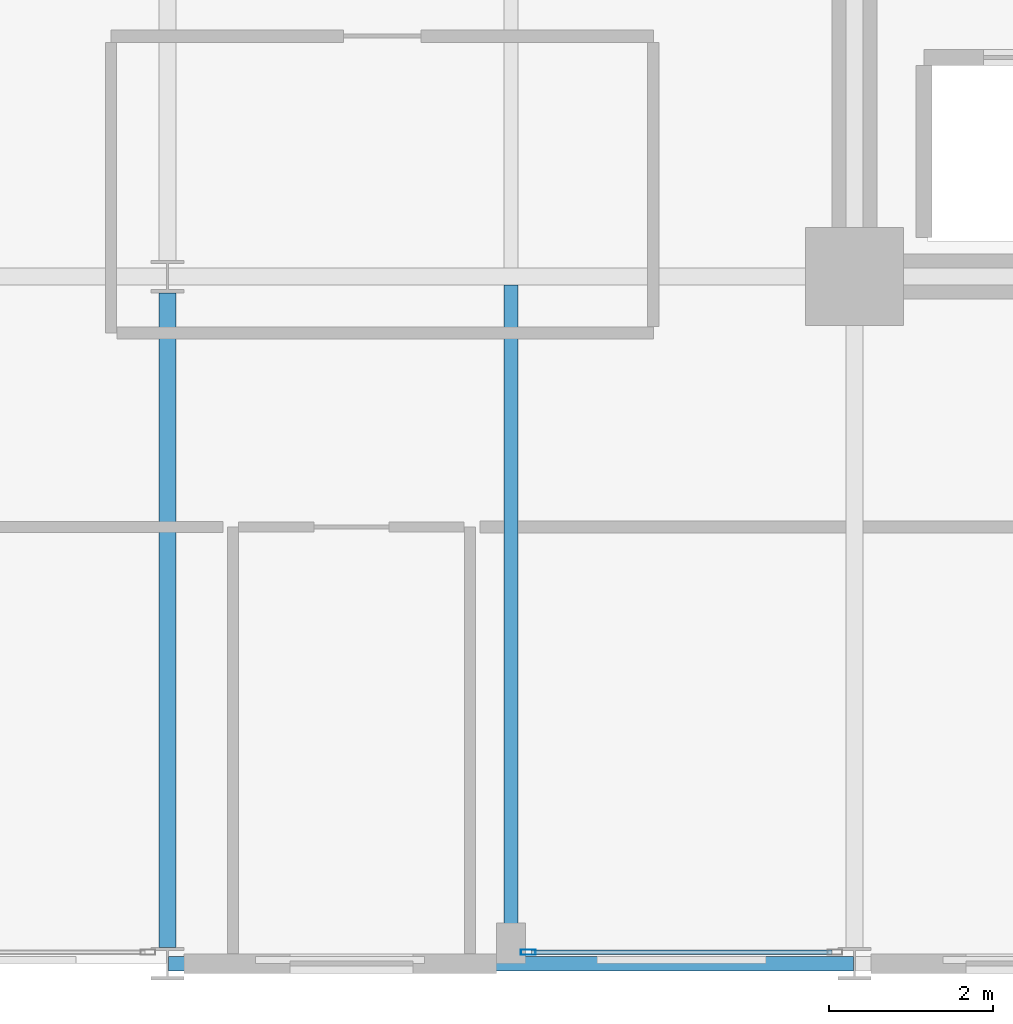
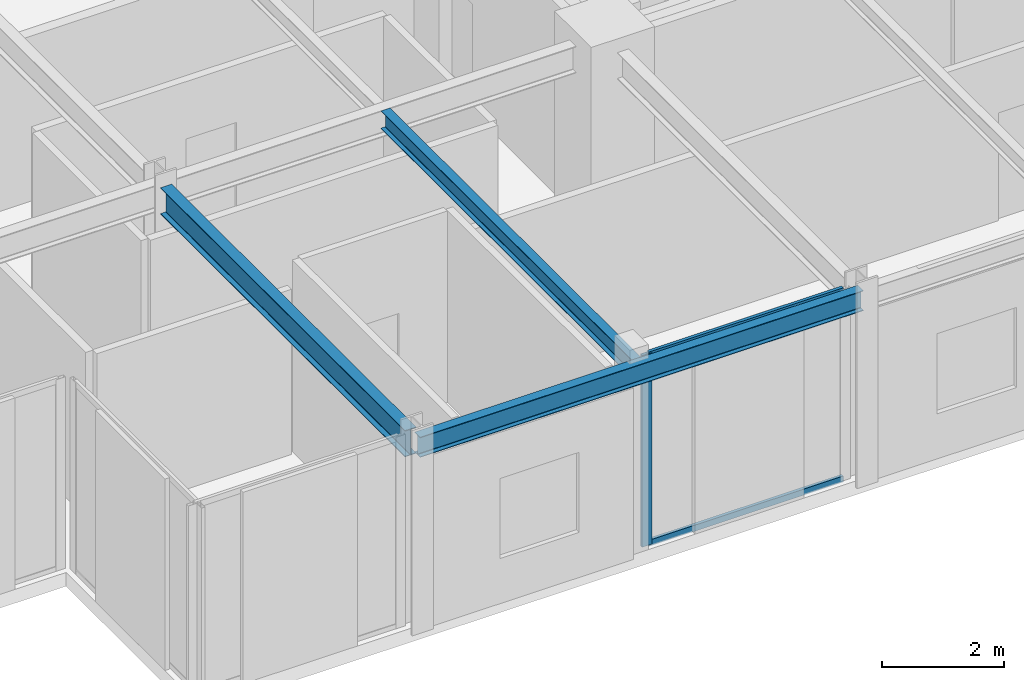
# One storey, part 5 of 38: 3 beams, 3 members, 1 element without a shape of its own.
"""IFC4 building model written with IfcOpenShell, lengths in metres."""

import ifcopenshell
import ifcopenshell.guid

model = None  # the IFC model being written
_history = None  # IfcOwnerHistory: only IFC2X3 demands one
_inside = {}  # id of a spatial element -> (the spatial element, [elements in it])
_under = {}  # id of a project, library or spatial element -> (it, [spatial elements below it])
_declared = {}  # id of a project -> (the project, [libraries it declares])
_typed = {}  # id of a type object -> (the type object, [elements of that type])
_made_of = {}  # id of a material, layer set ... -> (it, [elements and type objects made of it])


def new_model(schema):
    """Start an empty IFC model of exactly this schema.

    Asked for "IFC4X3", IfcOpenShell would pick the latest addendum, in which some entities
    have other attributes; the version numbers below select the first issue.
    IFC2X3 requires an IfcOwnerHistory on every rooted entity: one is made here for all.
    """
    global model, _history
    if schema == "IFC4X3":
        model = ifcopenshell.file(schema_version=(4, 3, 0, 0))
    else:
        model = ifcopenshell.file(schema=schema)
    _inside.clear()
    _under.clear()
    _declared.clear()
    _typed.clear()
    _made_of.clear()
    _history = None
    if model.schema == "IFC2X3":
        org = make("IfcOrganization", Name="unknown")
        user = make(
            "IfcPersonAndOrganization",
            ThePerson=make("IfcPerson", FamilyName="unknown"),
            TheOrganization=org,
        )
        app = make(
            "IfcApplication",
            ApplicationDeveloper=org,
            Version="unknown",
            ApplicationFullName="unknown",
            ApplicationIdentifier="unknown",
        )
        _history = make(
            "IfcOwnerHistory",
            OwningUser=user,
            OwningApplication=app,
            ChangeAction="ADDED",
            CreationDate=0,
        )
    return model


def make(cls, **values):
    """One entity of the class cls with the attributes given. An attribute that is None is left unset."""
    return model.create_entity(
        cls, **{name: value for name, value in values.items() if value is not None}
    )


def rooted(cls, **values):
    """An entity with a GlobalId (a new one), such as an element, a storey or a relation."""
    return make(cls, GlobalId=ifcopenshell.guid.new(), OwnerHistory=_history, **values)


def si_unit(unit_type, name, prefix=None):
    """IfcSIUnit, for example si_unit("LENGTHUNIT", "METRE", prefix="MILLI")."""
    return make("IfcSIUnit", UnitType=unit_type, Prefix=prefix, Name=name)


def assignment(units):
    """IfcUnitAssignment: the units of a project."""
    return None if units is None else make("IfcUnitAssignment", Units=units)


def point(xyz):
    """IfcCartesianPoint."""
    return None if xyz is None else make("IfcCartesianPoint", Coordinates=xyz)


def direction(xyz):
    """IfcDirection."""
    return None if xyz is None else make("IfcDirection", DirectionRatios=xyz)


def frame(location, z_axis=None, x_axis=None):
    """IfcAxis2Placement3D, a coordinate frame: its origin and axes. An axis left out is left unset."""
    return make(
        "IfcAxis2Placement3D",
        Location=point(location),
        Axis=direction(z_axis),
        RefDirection=direction(x_axis),
    )


def frame_2d(location, x_axis=None):
    """IfcAxis2Placement2D, a coordinate frame in the plane: its origin and x axis."""
    return make(
        "IfcAxis2Placement2D", Location=point(location), RefDirection=direction(x_axis)
    )


def origin():
    """The frame at (0, 0, 0) with its axes left unset."""
    return frame((0.0, 0.0, 0.0))


def origin_2d():
    """The frame at (0, 0) in the plane with its x axis left unset."""
    return frame_2d((0.0, 0.0))


def place(relative_to, where):
    """IfcLocalPlacement: puts the frame where relative to a parent placement (None: the world)."""
    return make(
        "IfcLocalPlacement", PlacementRelTo=relative_to, RelativePlacement=where
    )


def context(
    kind, dimensions, precision=None, world=None, true_north=None, identifier=None
):
    """IfcGeometricRepresentationContext, for example the 3D "Model" context."""
    return make(
        "IfcGeometricRepresentationContext",
        ContextIdentifier=identifier,
        ContextType=kind,
        CoordinateSpaceDimension=dimensions,
        Precision=precision,
        WorldCoordinateSystem=world,
        TrueNorth=true_north,
    )


def subcontext(parent, identifier, kind, view, scale=None):
    """IfcGeometricRepresentationSubContext, for example "Body" below "Model"."""
    return make(
        "IfcGeometricRepresentationSubContext",
        ContextIdentifier=identifier,
        ContextType=kind,
        ParentContext=parent,
        TargetScale=scale,
        TargetView=view,
    )


def project(units=None, contexts=None):
    """IfcProject with its units and contexts."""
    return rooted(
        "IfcProject",
        Name="project",
        RepresentationContexts=contexts,
        UnitsInContext=assignment(units),
    )


def spatial(cls, under=None, at=None, **own):
    """A site, building, storey or space (cls), placed at a placement, below another one or the project."""
    s = rooted(cls, ObjectPlacement=at, **own)
    if under is not None:
        _under.setdefault(under.id(), (under, []))[1].append(s)
    return s


def profile(cls, at=None, kind="AREA", **sizes):
    """A parametric profile (cls). Its sizes go by their IFC names, for example OverallWidth=200.0."""
    return make(cls, ProfileType=kind, Position=at, **sizes)


def hollow_rectangle(**sizes):
    """IfcRectangleHollowProfileDef."""
    return profile("IfcRectangleHollowProfileDef", **sizes)


def i_section(**sizes):
    """IfcIShapeProfileDef."""
    return profile("IfcIShapeProfileDef", **sizes)


def extrude(swept, where, along, depth):
    """IfcExtrudedAreaSolid: the profile swept, set in the frame where, extruded along a direction by depth."""
    return make(
        "IfcExtrudedAreaSolid",
        SweptArea=swept,
        Position=where,
        ExtrudedDirection=direction(along),
        Depth=depth,
    )


def shape(context_of_items, identifier, shape_type, items):
    """IfcShapeRepresentation: the items that make up one representation, for example the "Body"."""
    return make(
        "IfcShapeRepresentation",
        ContextOfItems=context_of_items,
        RepresentationIdentifier=identifier,
        RepresentationType=shape_type,
        Items=items,
    )


def material(Name=None, Category=None):
    """IfcMaterial."""
    return make("IfcMaterial", Name=Name, Category=Category)


def layer(
    of_material, thickness, ventilated=None, Name=None, Category=None, Priority=None
):
    """IfcMaterialLayer: one layer of a wall or slab, of a material (None: an air gap)."""
    return make(
        "IfcMaterialLayer",
        Material=of_material,
        LayerThickness=thickness,
        IsVentilated=ventilated,
        Name=Name,
        Category=Category,
        Priority=Priority,
    )


def layer_set(layers, Name=None):
    """IfcMaterialLayerSet."""
    return make("IfcMaterialLayerSet", MaterialLayers=layers, LayerSetName=Name)


def material_profile(
    of_material, cross_section, Name=None, Category=None, Priority=None
):
    """IfcMaterialProfile: a cross section and its material."""
    return make(
        "IfcMaterialProfile",
        Name=Name,
        Material=of_material,
        Profile=cross_section,
        Priority=Priority,
        Category=Category,
    )


def profile_set(profiles, Name=None, composite=None):
    """IfcMaterialProfileSet."""
    return make(
        "IfcMaterialProfileSet",
        Name=Name,
        MaterialProfiles=profiles,
        CompositeProfile=composite,
    )


def made_of(thing, what):
    """Note that an element or type object is made of a material, layer set ...; save() writes the relation."""
    if what is not None:
        _made_of.setdefault(what.id(), (what, []))[1].append(thing)
    return thing


def type_object(cls, material=None, **own):
    """A type object (cls), such as IfcWallType, which elements share."""
    return made_of(rooted(cls, **own), material)


def element(
    cls,
    number,
    at=None,
    inside=None,
    cuts=None,
    type_object=None,
    material=None,
    context=None,
    identifier="Body",
    shape_type=None,
    held_by="IfcProductDefinitionShape",
    body=None,
    shapes=None,
    **own,
):
    """One element of the class cls, such as IfcWall. Its Tag is "e" and its number.

    at: its placement. inside: the storey or other place that contains it. cuts: it is an
    opening in that element (IfcRelVoidsElement). A single representation is given by context,
    identifier, shape_type and body (its items); several are given by shapes. held_by: the class
    of the entity that holds the representations. save() writes the other relations.
    """
    e = rooted(cls, Tag="e%d" % number, ObjectPlacement=at, **own)
    if body is not None:
        shapes = [shape(context, identifier, shape_type, body)]
    if shapes is not None:
        e.Representation = make(held_by, Representations=shapes)
    if inside is not None:
        _inside.setdefault(inside.id(), (inside, []))[1].append(e)
    if cuts is not None:
        rooted(
            "IfcRelVoidsElement", RelatingBuildingElement=cuts, RelatedOpeningElement=e
        )
    if type_object is not None:
        _typed.setdefault(type_object.id(), (type_object, []))[1].append(e)
    return made_of(e, material)


def aggregate(whole, parts):
    """IfcRelAggregates: a whole, such as a stair, and the parts it consists of."""
    return rooted("IfcRelAggregates", RelatingObject=whole, RelatedObjects=parts)


def save(model, path):
    """Write the relations noted so far, then the file.

    IfcRelAggregates (storeys below a building ...), IfcRelContainedInSpatialStructure (elements
    in a storey), IfcRelDefinesByType, IfcRelAssociatesMaterial and IfcRelDeclares: one each for
    every whole, place, type object, material and project.
    """
    for whole, parts in _under.values():
        aggregate(whole, parts)
    for where, things in _inside.values():
        rooted(
            "IfcRelContainedInSpatialStructure",
            RelatedElements=things,
            RelatingStructure=where,
        )
    for kind, things in _typed.values():
        rooted("IfcRelDefinesByType", RelatedObjects=things, RelatingType=kind)
    for what, things in _made_of.values():
        rooted("IfcRelAssociatesMaterial", RelatedObjects=things, RelatingMaterial=what)
    for by, libraries in _declared.values():
        rooted("IfcRelDeclares", RelatingContext=by, RelatedDefinitions=libraries)
    model.write(path)


model = new_model("IFC4")

# Units and contexts
model_context = context("Model", 3, precision=1e-05, world=origin(), true_north=direction((0.0, 1.0)))
body_context = subcontext(model_context, "Body", "Model", "MODEL_VIEW")
ifc_project = project(units=[si_unit("LENGTHUNIT", "METRE"), si_unit("AREAUNIT", "SQUARE_METRE"), si_unit("VOLUMEUNIT", "CUBIC_METRE"), si_unit("PLANEANGLEUNIT", "RADIAN"), si_unit("MASSUNIT", "GRAM", prefix="KILO")], contexts=[model_context])

# Site, building, storey
site_placement = place(None, origin())
site = spatial("IfcSite", under=ifc_project, at=site_placement, CompositionType="ELEMENT")
building_placement = place(site_placement, origin())
building = spatial("IfcBuilding", under=site, at=building_placement, Name="Nerrivon Quay Data Exchange", CompositionType="ELEMENT")
storey_placement = place(building_placement, frame((0.0, 0.0, 96.699951171875)))
storey = spatial("IfcBuildingStorey", under=building, at=storey_placement, Name="L22", CompositionType="ELEMENT", Elevation=96.699951171875)

# Beams
ifc_material_1 = material(Name="Steel Grade 350", Category="steel")
ifc_material_profile_1 = material_profile(ifc_material_1, i_section(OverallWidth=0.208984375, OverallDepth=0.528076171875, WebThickness=0.009521484375, FlangeThickness=0.01318359375, FilletRadius=0.013916015625, at=origin_2d()), Name="530UB82.0")
ifc_profile_set_1 = profile_set([ifc_material_profile_1], Name="Steel Grade 350")
beam_type_1 = type_object("IfcBeamType", Name="BM-G4-530UB82", PredefinedType="BEAM", material=ifc_profile_set_1)
beam_1_placement = place(storey_placement, frame((8.39990234375, 0.199951171875, 3.56103515625), z_axis=(0.0, 1.0, 0.0), x_axis=(-1.0, 0.0, 0.0)))
element("IfcBeam", 1, at=beam_1_placement, inside=storey, type_object=beam_type_1, Name="L22 NS Girder X=8.4 (0.0..8.4)", PredefinedType="BEAM", context=body_context, shape_type="SweptSolid", body=[
    extrude(i_section(OverallWidth=0.208984375, OverallDepth=0.528076171875, WebThickness=0.009521484375, FlangeThickness=0.01318359375, FilletRadius=0.013916015625, at=origin_2d()), origin(), (0.0, 0.0, 1.0), 8.0),
])
ifc_material_profile_2 = material_profile(ifc_material_1, i_section(OverallWidth=0.1708984375, OverallDepth=0.35595703125, WebThickness=0.00732421875, FlangeThickness=0.011474609375, FilletRadius=0.011474609375, at=origin_2d()), Name="360UB50.7")
ifc_profile_set_2 = profile_set([ifc_material_profile_2], Name="Steel Grade 350")
beam_type_2 = type_object("IfcBeamType", Name="BM-J4-360UB51", PredefinedType="JOIST", material=ifc_profile_set_2)
beam_2_placement = place(storey_placement, frame((12.60009765625, 0.089111328125, 3.64697265625), z_axis=(0.0, 1.0, 0.0), x_axis=(-1.0, 0.0, 0.0)))
element("IfcBeam", 2, at=beam_2_placement, inside=storey, type_object=beam_type_2, Name="L22 Secondary Joist X=12.6 (0.0..8.4)", PredefinedType="JOIST", context=body_context, shape_type="SweptSolid", body=[
    extrude(i_section(OverallWidth=0.1708984375, OverallDepth=0.35595703125, WebThickness=0.00732421875, FlangeThickness=0.011474609375, FilletRadius=0.011474609375, at=origin_2d()), origin(), (0.0, 0.0, 1.0), 8.206298828125),
])
ifc_material_profile_3 = material_profile(ifc_material_1, i_section(OverallWidth=0.177978515625, OverallDepth=0.403076171875, WebThickness=0.007568359375, FlangeThickness=0.010986328125, FilletRadius=0.011474609375, at=origin_2d()), Name="410UB53.7")
ifc_profile_set_3 = profile_set([ifc_material_profile_3], Name="Steel Grade 350")
beam_type_3 = type_object("IfcBeamType", Name="BM-SP2-410UB54", PredefinedType="SPANDREL", material=ifc_profile_set_3)
beam_3_placement = place(storey_placement, frame((8.41259765625, 0.0, 3.62353515625), z_axis=(1.0, 0.0, 0.0), x_axis=(0.0, 1.0, 0.0)))
element("IfcBeam", 3, at=beam_3_placement, inside=storey, type_object=beam_type_3, Name="L22 EW Girder Y=0.0 (8.4..16.8)", PredefinedType="SPANDREL", context=body_context, shape_type="SweptSolid", body=[
    extrude(i_section(OverallWidth=0.177978515625, OverallDepth=0.403076171875, WebThickness=0.007568359375, FlangeThickness=0.010986328125, FilletRadius=0.011474609375, at=origin_2d()), origin(), (0.0, 0.0, 1.0), 8.375),
])

# Curtain wall, members
ifc_material_2 = material(Name="Anodised aluminium 6063-T6", Category="aluminium")
ifc_layer = layer(ifc_material_2, 0.2099609375)
ifc_layer_set = layer_set([ifc_layer], Name="Anodised aluminium 6063-T6")
curtain_wall_type = type_object("IfcCurtainWallType", Name="CW-SYS-02", PredefinedType="NOTDEFINED", material=ifc_layer_set)
curtain_wall_placement = place(storey_placement, origin())
curtain_wall = element("IfcCurtainWall", 4, at=curtain_wall_placement, inside=storey, type_object=curtain_wall_type, Name="L22 Unitised Curtain Wall 12", PredefinedType="NOTDEFINED")
ifc_material_profile_4 = material_profile(ifc_material_2, hollow_rectangle(XDim=0.06494140625, YDim=0.179931640625, WallThickness=0.00341796875, at=origin_2d()), Name="ALU-MULL-180x65")
ifc_profile_set_4 = profile_set([ifc_material_profile_4], Name="Anodised aluminium 6063-T6")
member_type_1 = type_object("IfcMemberType", Name="CWM-180x65", PredefinedType="MULLION", material=ifc_profile_set_4)
member_1_placement = place(storey_placement, frame((12.8125, 0.139892578125, 0.0), z_axis=(0.0, 0.0, 1.0), x_axis=(0.0, -1.0, 0.0)))
member_1 = element("IfcMember", 5, at=member_1_placement, type_object=member_type_1, Name="CW02 mullion 2", PredefinedType="MULLION", context=body_context, shape_type="SweptSolid", body=[
    extrude(hollow_rectangle(XDim=0.06494140625, YDim=0.179931640625, WallThickness=0.00341796875, at=origin_2d()), origin(), (0.0, 0.0, 1.0), 3.824951171875),
])
ifc_material_profile_5 = material_profile(ifc_material_2, hollow_rectangle(XDim=0.06005859375, YDim=0.1201171875, WallThickness=0.003173828125, at=origin_2d()), Name="ALU-TRAN-120x60")
ifc_profile_set_5 = profile_set([ifc_material_profile_5], Name="Anodised aluminium 6063-T6")
member_type_2 = type_object("IfcMemberType", Name="CWT-120x60", PredefinedType="USERDEFINED", material=ifc_profile_set_5)
member_2_placement = place(storey_placement, frame((16.52490234375, 0.139892578125, 0.032470703125), z_axis=(-1.0, 0.0, 0.0), x_axis=(0.0, -1.0, 0.0)))
member_2 = element("IfcMember", 6, at=member_2_placement, type_object=member_type_2, Name="CW02 transom 1.1", ObjectType="TRANSOM", PredefinedType="USERDEFINED", context=body_context, shape_type="SweptSolid", body=[
    extrude(hollow_rectangle(XDim=0.06005859375, YDim=0.1201171875, WallThickness=0.003173828125, at=origin_2d()), origin(), (0.0, 0.0, 1.0), 3.6748046875),
])
member_3_placement = place(storey_placement, frame((16.52490234375, 0.139892578125, 3.79248046875), z_axis=(-1.0, 0.0, 0.0), x_axis=(0.0, -1.0, 0.0)))
member_3 = element("IfcMember", 7, at=member_3_placement, type_object=member_type_2, Name="CW02 transom 1.2", ObjectType="TRANSOM", PredefinedType="USERDEFINED", context=body_context, shape_type="SweptSolid", body=[
    extrude(hollow_rectangle(XDim=0.06005859375, YDim=0.1201171875, WallThickness=0.003173828125, at=origin_2d()), origin(), (0.0, 0.0, 1.0), 3.6748046875),
])
aggregate(curtain_wall, [member_1, member_2, member_3])

save(model, "model.ifc")
